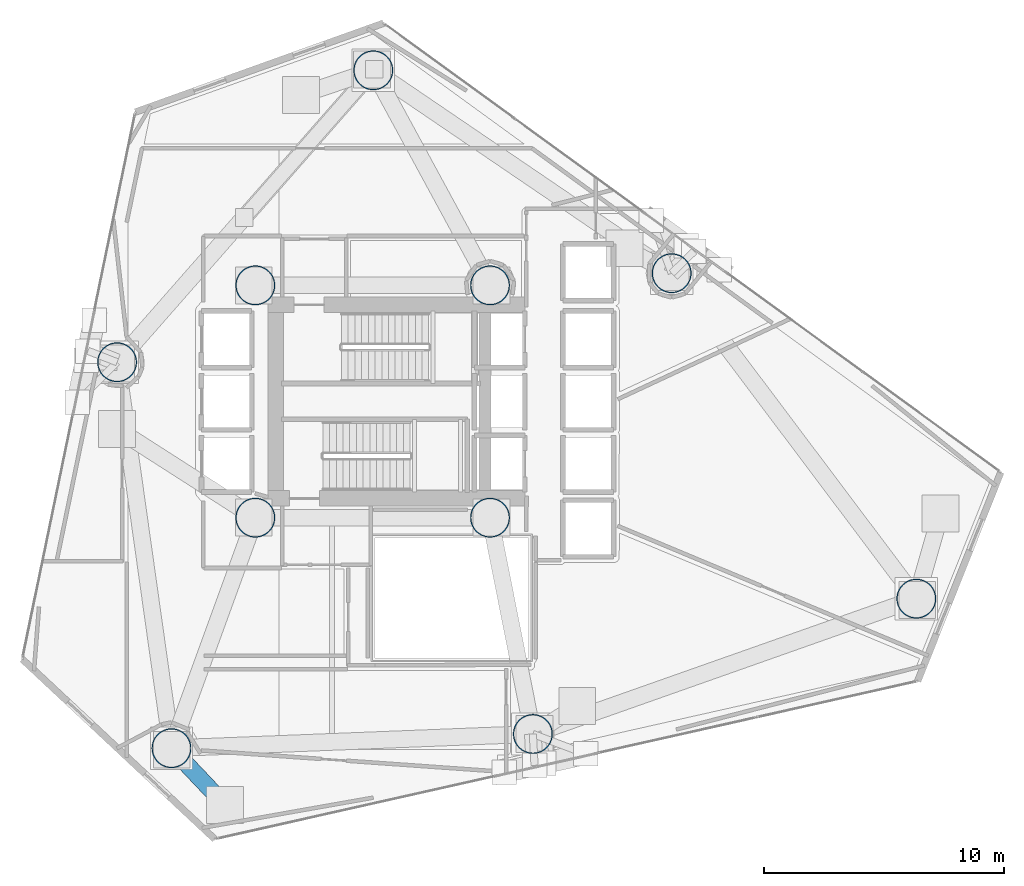
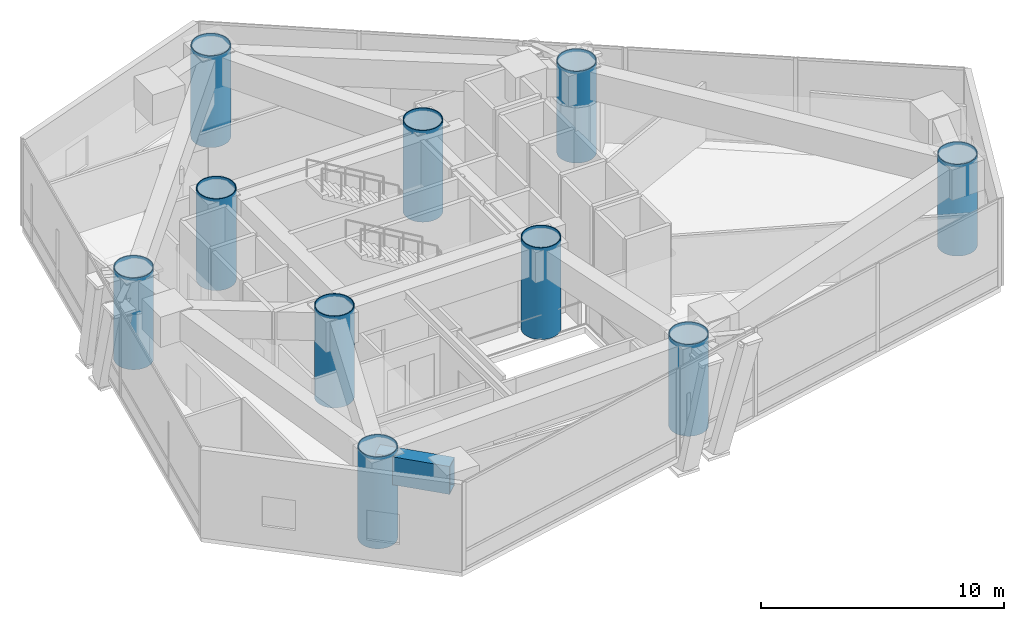
# One storey, part 1 of 22: 10 columns, 1 beam.
"""IFC4 building model written with IfcOpenShell, lengths in metres."""

from ifc_helpers import new_model, si_unit, direction, frame, origin, origin_2d, place, context, subcontext, project, spatial, hollow_rectangle, hollow_circle, extrude, material, material_profile, profile_set, type_object, element, save


model = new_model("IFC4")

# Units and contexts
model_context = context("Model", 3, precision=1e-05, world=origin(), true_north=direction((0.0, 1.0)))
body_context = subcontext(model_context, "Body", "Model", "MODEL_VIEW")
ifc_project = project(units=[si_unit("LENGTHUNIT", "METRE"), si_unit("AREAUNIT", "SQUARE_METRE"), si_unit("VOLUMEUNIT", "CUBIC_METRE"), si_unit("PLANEANGLEUNIT", "RADIAN"), si_unit("MASSUNIT", "GRAM", prefix="KILO")], contexts=[model_context])

# Site, building, storey
site_placement = place(None, origin())
site = spatial("IfcSite", under=ifc_project, at=site_placement, CompositionType="ELEMENT")
building_placement = place(site_placement, origin())
building = spatial("IfcBuilding", under=site, at=building_placement, Name="Qianvela Tower", CompositionType="ELEMENT")
storey_placement = place(building_placement, frame((0.0, 0.0, 93.199951171875)))
storey = spatial("IfcBuildingStorey", under=building, at=storey_placement, Name="L23", CompositionType="ELEMENT", Elevation=93.199951171875)

# Columns
ifc_material_1 = material(Name="Steel Q420GJC", Category="steel")
ifc_material_profile_1 = material_profile(ifc_material_1, hollow_circle(Radius=0.824951171875, WallThickness=0.0400390625, at=origin_2d()), Name="CFT-1650x40")
ifc_profile_set_1 = profile_set([ifc_material_profile_1], Name="Steel Q420GJC")
column_type = type_object("IfcColumnType", Name="COL-CFT-1650x40", PredefinedType="COLUMN", material=ifc_profile_set_1)
for number, where, z_axis, x_axis, name in (
    (1, (28.60009765625, 33.550048828125, 0.0), (0.0, 0.0, 1.0), (1.0, 0.0, 0.0), "L23 Core Corner Mega-Column CC-NW"),
    (2, (28.60009765625, 23.85009765625, 0.0), (0.0, 0.0, 1.0), (1.0, 0.0, 0.0), "L23 Core Corner Mega-Column CC-SW"),
    (3, (38.39990234375, 33.550048828125, 0.0), (0.0, 0.0, 1.0), (1.0, 0.0, 0.0), "L23 Core Corner Mega-Column CC-NE"),
    (4, (38.39990234375, 23.85009765625, 0.0), (0.0, 0.0, 1.0), (1.0, 0.0, 0.0), "L23 Core Corner Mega-Column CC-SE"),
    (5, (56.198974609375, 20.468017578125, 0.0), (0.0, 0.0, 1.0), (1.0, 0.0, 0.0), "L23 Zone Z2 CFT Mega-Column C1"),
    (6, (45.98388671875, 34.056884765625, 0.0), (0.0, 0.0, 1.0), (1.0, 0.0, 0.0), "L23 Zone Z2 CFT Mega-Column C2"),
    (7, (33.52587890625, 42.529052734375, 0.0), (0.0, 0.0, 1.0), (1.0, 0.0, 0.0), "L23 Zone Z2 CFT Mega-Column C3"),
    (8, (22.8291015625, 30.340087890625, 0.0), (0.0, 0.0, 1.0), (1.0, 0.0, 0.0), "L23 Zone Z2 CFT Mega-Column C4"),
    (9, (25.10009765625, 14.22509765625, 0.0), (0.0, 0.0, 1.0), (1.0, 0.0, 0.0), "L23 Zone Z2 CFT Mega-Column C5"),
    (10, (40.18896484375, 14.819091796875, 0.0), (0.0, 0.0, 1.0), (1.0, 0.0, 0.0), "L23 Zone Z2 CFT Mega-Column C6"),
):
    element("IfcColumn", number, at=place(storey_placement, frame(where, z_axis=z_axis, x_axis=x_axis)), inside=storey, type_object=column_type, Name=name, PredefinedType="COLUMN", context=body_context, shape_type="SweptSolid", body=[
        extrude(hollow_circle(Radius=0.824951171875, WallThickness=0.0400390625, at=origin_2d()), origin(), (0.0, 0.0, 1.0), 4.60009765625),
    ])

# Beam
ifc_material_2 = material(Name="Steel Q420GJC", Category="steel")
ifc_material_profile_2 = material_profile(ifc_material_2, hollow_rectangle(XDim=0.699951171875, YDim=1.39990234375, WallThickness=0.0400390625, at=origin_2d()), Name="TG-BOX-1400x700x40")
ifc_profile_set_2 = profile_set([ifc_material_profile_2], Name="Steel Q420GJC")
beam_type = type_object("IfcBeamType", Name="BM-TG-STEP-1400", PredefinedType="BEAM", material=ifc_profile_set_2)
beam_placement = place(storey_placement, frame((25.10009765625, 14.22509765625, 3.718017578125), z_axis=(0.687353813936, -0.726322748141, 0.0), x_axis=(0.726322748141, 0.687353813936, 0.0)))
element("IfcBeam", 11, at=beam_placement, inside=storey, type_object=beam_type, Name="L23 Zone-Step Transfer Girder 5", PredefinedType="BEAM", context=body_context, shape_type="SweptSolid", body=[
    extrude(hollow_rectangle(XDim=0.699951171875, YDim=1.39990234375, WallThickness=0.0400390625, at=origin_2d()), origin(), (0.0, 0.0, 1.0), 3.18896484375),
])

save(model, "model.ifc")
